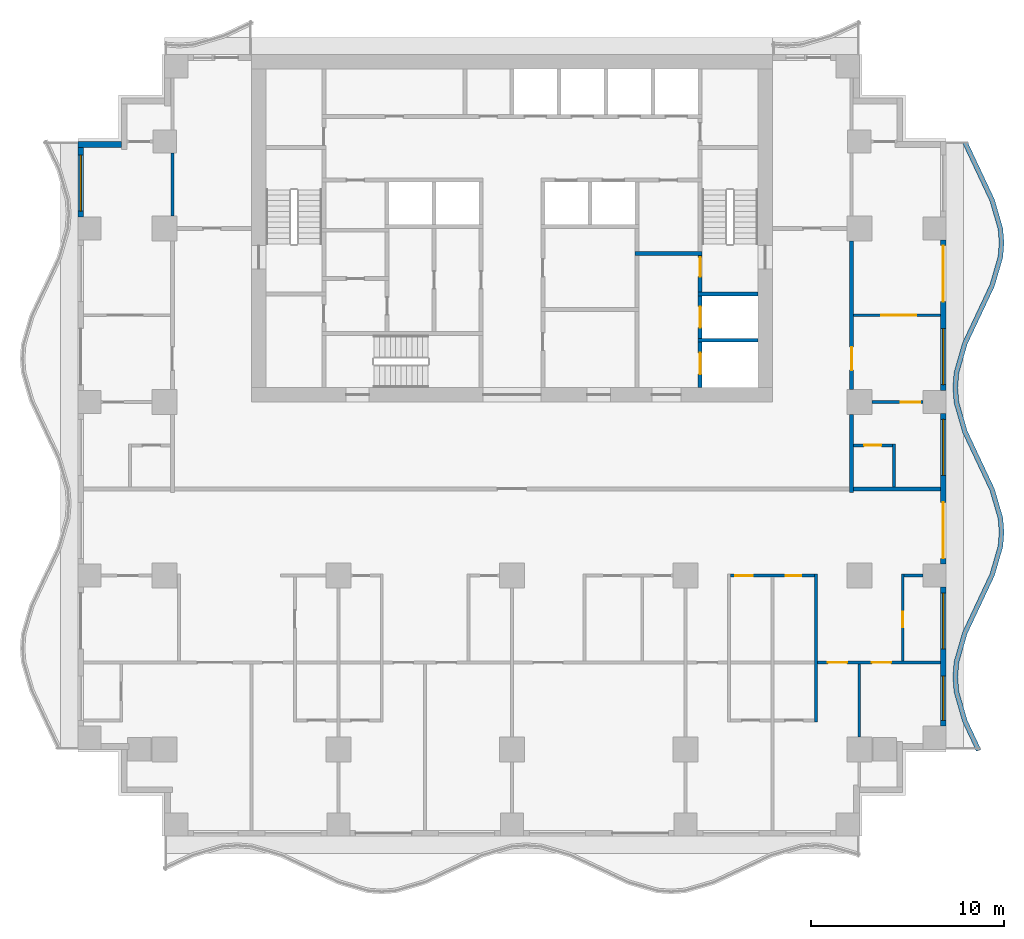
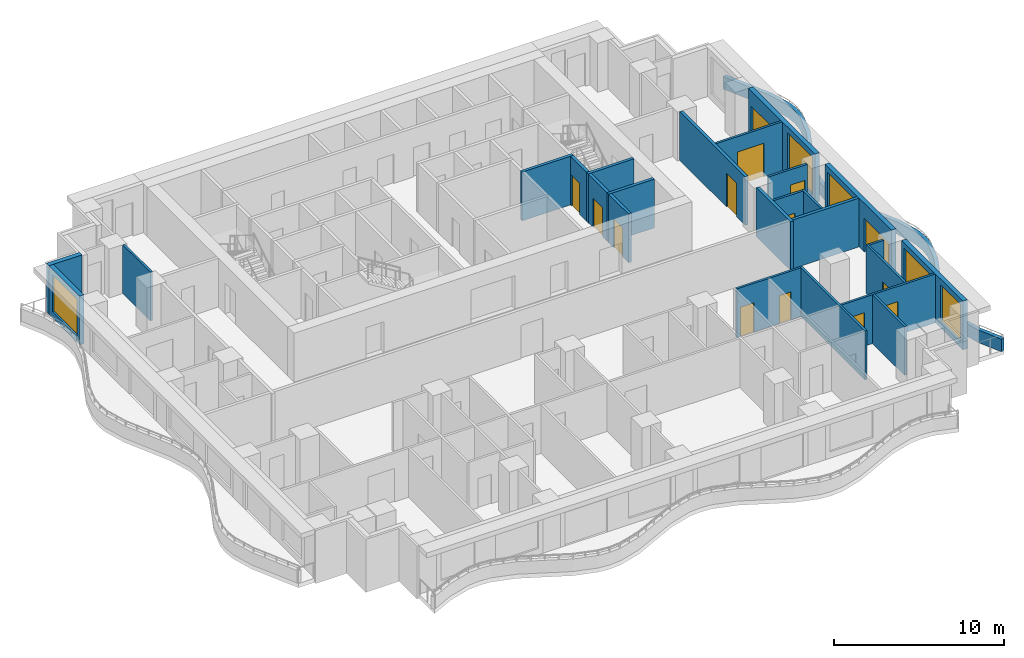
# One storey, part 4 of 10: 26 walls, 14 doors, 5 windows, 19 openings.
"""IFC4 building model written with IfcOpenShell, lengths in metres."""

from ifc_helpers import new_model, si_unit, direction, frame, frame_2d, origin, place, context, subcontext, project, spatial, polyline, rectangle, outline, extrude, material, layer, layer_set, type_object, element, fill, save


model = new_model("IFC4")

# Units and contexts
model_context = context("Model", 3, precision=1e-05, world=origin(), true_north=direction((0.0, 1.0)))
body_context = subcontext(model_context, "Body", "Model", "MODEL_VIEW")
ifc_project = project(units=[si_unit("LENGTHUNIT", "METRE"), si_unit("AREAUNIT", "SQUARE_METRE"), si_unit("VOLUMEUNIT", "CUBIC_METRE"), si_unit("PLANEANGLEUNIT", "RADIAN"), si_unit("MASSUNIT", "GRAM", prefix="KILO")], contexts=[model_context])

# Site, building, storey
site_placement = place(None, origin())
site = spatial("IfcSite", under=ifc_project, at=site_placement, CompositionType="ELEMENT")
building_placement = place(site_placement, origin())
building = spatial("IfcBuilding", under=site, at=building_placement, Name="Orbiselva Terraces", CompositionType="ELEMENT")
storey_placement = place(building_placement, frame((0.0, 0.0, 128.8)))
storey = spatial("IfcBuildingStorey", under=building, at=storey_placement, Name="L32", CompositionType="ELEMENT", Elevation=128.8)

# Wall
ifc_material_1 = material(Name="Concrete C60/75", Category="concrete")
ifc_layer_1 = layer(ifc_material_1, 0.2)
ifc_layer_set_1 = layer_set([ifc_layer_1], Name="Concrete C60/75")
wall_type_1 = type_object("IfcWallType", Name="CORE-WALL-SHEAR-200", PredefinedType="SHEAR", material=ifc_layer_set_1)
wall_1_placement = place(storey_placement, frame((6.375, 12.2, 0.0), z_axis=(0.0, 0.0, 1.0), x_axis=(1.0, 0.0, 0.0)))
element("IfcWall", 1, at=wall_1_placement, inside=storey, type_object=wall_type_1, Name="L32 core wall 38", PredefinedType="SHEAR", context=body_context, shape_type="SweptSolid", body=[
    extrude(rectangle(XDim=3.475, YDim=0.2, at=frame_2d((1.7375, 0.0))), origin(), (0.0, 0.0, 1.0), 3.5),
])

# Wall, opening, door
wall_2_placement = place(storey_placement, frame((9.75, 5.25, 0.0), z_axis=(0.0, 0.0, 1.0), x_axis=(0.0, 1.0, 0.0)))
wall_2 = element("IfcWall", 2, at=wall_2_placement, inside=storey, type_object=wall_type_1, Name="L32 core wall 42", PredefinedType="SHEAR", context=body_context, shape_type="SweptSolid", body=[
    extrude(rectangle(XDim=2.35, YDim=0.2, at=frame_2d((1.175, 0.0))), origin(), (0.0, 0.0, 1.0), 3.5),
])
opening_1_placement = place(wall_2_placement, frame((0.7, 0.0, 0.0)))
opening_1 = element("IfcOpeningElement", 3, at=opening_1_placement, cuts=wall_2, Name="Opening LD-FF1", PredefinedType="OPENING", context=body_context, shape_type="SweptSolid", body=[
    extrude(rectangle(XDim=1.1, YDim=2.1, at=frame_2d((0.55, 1.05))), frame((0.0, 0.11, 0.0), z_axis=(0.0, -1.0, 0.0), x_axis=(1.0, 0.0, 0.0)), (0.0, 0.0, 1.0), 0.22),
])
ifc_material_2 = material(Name="Stainless steel landing door", Category="steel")
door_type_1 = type_object("IfcDoorType", Name="LANDING DOOR 1100", OperationType="SLIDING_TO_LEFT", PredefinedType="DOOR", material=ifc_material_2)
door_1_placement = place(opening_1_placement, origin())
door_1 = element("IfcDoor", 4, at=door_1_placement, inside=storey, type_object=door_type_1, Name="L32 landing door FF1", OperationType="SLIDING_TO_RIGHT", OverallHeight=2.1, OverallWidth=1.1, PredefinedType="DOOR", context=body_context, shape_type="SweptSolid", body=[
    extrude(rectangle(XDim=1.1, YDim=2.1, at=frame_2d((0.55, 1.05))), frame((0.0, 0.025, 0.0), z_axis=(0.0, -1.0, 0.0), x_axis=(1.0, 0.0, 0.0)), (0.0, 0.0, 1.0), 0.05),
])
fill(opening_1, door_1)

# Wall
wall_3_placement = place(storey_placement, frame((9.65, 7.7, 0.0), z_axis=(0.0, 0.0, 1.0), x_axis=(1.0, 0.0, 0.0)))
element("IfcWall", 5, at=wall_3_placement, inside=storey, type_object=wall_type_1, Name="L32 core wall 43", PredefinedType="SHEAR", context=body_context, shape_type="SweptSolid", body=[
    extrude(rectangle(XDim=3.1, YDim=0.2, at=frame_2d((1.55, 0.0))), origin(), (0.0, 0.0, 1.0), 3.5),
])

# Wall, opening, door
wall_4_placement = place(storey_placement, frame((9.75, 7.8, 0.0), z_axis=(0.0, 0.0, 1.0), x_axis=(0.0, 1.0, 0.0)))
wall_4 = element("IfcWall", 6, at=wall_4_placement, inside=storey, type_object=wall_type_1, Name="L32 core wall 44", PredefinedType="SHEAR", context=body_context, shape_type="SweptSolid", body=[
    extrude(rectangle(XDim=2.2, YDim=0.2, at=frame_2d((1.1, 0.0))), origin(), (0.0, 0.0, 1.0), 3.5),
])
opening_2_placement = place(wall_4_placement, frame((0.55, 0.0, 0.0)))
opening_2 = element("IfcOpeningElement", 7, at=opening_2_placement, cuts=wall_4, Name="Opening LD-FF2", PredefinedType="OPENING", context=body_context, shape_type="SweptSolid", body=[
    extrude(rectangle(XDim=1.1, YDim=2.1, at=frame_2d((0.55, 1.05))), frame((0.0, 0.11, 0.0), z_axis=(0.0, -1.0, 0.0), x_axis=(1.0, 0.0, 0.0)), (0.0, 0.0, 1.0), 0.22),
])
door_2_placement = place(opening_2_placement, origin())
door_2 = element("IfcDoor", 8, at=door_2_placement, inside=storey, type_object=door_type_1, Name="L32 landing door FF2", OperationType="SLIDING_TO_RIGHT", OverallHeight=2.1, OverallWidth=1.1, PredefinedType="DOOR", context=body_context, shape_type="SweptSolid", body=[
    extrude(rectangle(XDim=1.1, YDim=2.1, at=frame_2d((0.55, 1.05))), frame((0.0, 0.025, 0.0), z_axis=(0.0, -1.0, 0.0), x_axis=(1.0, 0.0, 0.0)), (0.0, 0.0, 1.0), 0.05),
])
fill(opening_2, door_2)

# Wall
wall_5_placement = place(storey_placement, frame((9.65, 10.1, 0.0), z_axis=(0.0, 0.0, 1.0), x_axis=(1.0, 0.0, 0.0)))
element("IfcWall", 9, at=wall_5_placement, inside=storey, type_object=wall_type_1, Name="L32 core wall 45", PredefinedType="SHEAR", context=body_context, shape_type="SweptSolid", body=[
    extrude(rectangle(XDim=3.1, YDim=0.2, at=frame_2d((1.55, 0.0))), origin(), (0.0, 0.0, 1.0), 3.5),
])

# Wall, opening, door
wall_6_placement = place(storey_placement, frame((9.75, 12.1, 0.0), z_axis=(0.0, 0.0, 1.0), x_axis=(0.0, -1.0, 0.0)))
wall_6 = element("IfcWall", 10, at=wall_6_placement, inside=storey, type_object=wall_type_1, Name="L32 core wall 46", PredefinedType="SHEAR", context=body_context, shape_type="SweptSolid", body=[
    extrude(rectangle(XDim=1.9, YDim=0.2, at=frame_2d((0.95, 0.0))), origin(), (0.0, 0.0, 1.0), 3.5),
])
opening_3_placement = place(wall_6_placement, frame((0.1, 0.0, 0.0)))
opening_3 = element("IfcOpeningElement", 11, at=opening_3_placement, cuts=wall_6, Name="Opening DS1000", PredefinedType="OPENING", context=body_context, shape_type="SweptSolid", body=[
    extrude(rectangle(XDim=1.0, YDim=2.2, at=frame_2d((0.5, 1.1))), frame((0.0, 0.11, 0.0), z_axis=(0.0, -1.0, 0.0), x_axis=(1.0, 0.0, 0.0)), (0.0, 0.0, 1.0), 0.22),
])
ifc_material_3 = material(Name="Steel fire door", Category="steel")
door_type_2 = type_object("IfcDoorType", Name="STAIR DOOR 1000", OperationType="NOTDEFINED", PredefinedType="DOOR", material=ifc_material_3)
door_3_placement = place(opening_3_placement, origin())
door_3 = element("IfcDoor", 12, at=door_3_placement, inside=storey, type_object=door_type_2, Name="L32 FIRE-FIGHTING LOBBY TO EXIT STAIR S2 door", OperationType="SINGLE_SWING_LEFT", OverallHeight=2.2, OverallWidth=1.0, PredefinedType="DOOR", context=body_context, shape_type="SweptSolid", body=[
    extrude(rectangle(XDim=1.0, YDim=2.2, at=frame_2d((0.5, 1.1))), frame((0.0, 0.025, 0.0), z_axis=(0.0, -1.0, 0.0), x_axis=(1.0, 0.0, 0.0)), (0.0, 0.0, 1.0), 0.05),
])
fill(opening_3, door_3)

# Wall
ifc_material_4 = material(Name="Concrete C40/50", Category="concrete")
ifc_layer_2 = layer(ifc_material_4, 0.25)
ifc_layer_set_2 = layer_set([ifc_layer_2], Name="Concrete C40/50")
wall_type_2 = type_object("IfcWallType", Name="ENV-PLANTER-250x900", PredefinedType="USERDEFINED", material=ifc_layer_set_2)
wall_7_placement = place(storey_placement, origin())
element("IfcWall", 13, at=wall_7_placement, inside=storey, type_object=wall_type_2, Name="Balcony planter L32 E", ObjectType="PLANTER", PredefinedType="USERDEFINED", context=body_context, shape_type="SweptSolid", body=[
    extrude(outline(polyline([(24.3, -13.5), (23.594658, -12.0), (23.158732, -10.5), (23.1, -9.75), (23.158732, -9.0), (23.594658, -7.5), (24.3, -6.0), (25.005342, -4.5), (25.441268, -3.0), (25.5, -2.25), (25.441268, -1.5), (25.005342, 0.0), (24.3, 1.5), (23.594658, 3.0), (23.158732, 4.5), (23.1, 5.25), (23.158732, 6.0), (23.594658, 7.5), (24.3, 9.0), (25.005342, 10.5), (25.441268, 12.0), (25.5, 12.75), (25.441268, 13.5), (25.005342, 15.0), (24.3, 16.5), (23.594658, 18.0), (23.368422, 17.893617), (24.073764, 16.393617), (24.770753, 14.911382), (25.194035, 13.454886), (25.249235, 12.75), (25.194035, 12.045114), (24.770753, 10.588618), (24.073764, 9.106383), (23.360069, 7.588618), (22.911499, 6.045114), (22.849235, 5.25), (22.911499, 4.454886), (23.360069, 2.911382), (24.073764, 1.393617), (24.770753, -0.088618), (25.194035, -1.545114), (25.249235, -2.25), (25.194035, -2.954886), (24.770753, -4.411382), (24.073764, -5.893617), (23.360069, -7.411382), (22.911499, -8.954886), (22.849235, -9.75), (22.911499, -10.545114), (23.360069, -12.088618), (24.073764, -13.606383), (24.3, -13.5)])), origin(), (0.0, 0.0, 1.0), 0.9),
])

# Wall, openings, windows
ifc_material_5 = material(Name="Terracotta cladding on masonry backing", Category="masonry")
ifc_layer_3 = layer(ifc_material_5, 0.3)
ifc_layer_set_3 = layer_set([ifc_layer_3], Name="Terracotta cladding on masonry backing")
wall_type_3 = type_object("IfcWallType", Name="ENV-WALL-TERRACOTTA-300", PredefinedType="SOLIDWALL", material=ifc_layer_set_3)
wall_8_placement = place(storey_placement, frame((22.35, -5.1, 0.0), z_axis=(0.0, 0.0, 1.0), x_axis=(0.0, -1.0, 0.0)))
wall_8 = element("IfcWall", 14, at=wall_8_placement, inside=storey, type_object=wall_type_3, Name="Facade wall L32 E", PredefinedType="SOLIDWALL", context=body_context, shape_type="SweptSolid", body=[
    extrude(rectangle(XDim=7.2, YDim=0.3, at=frame_2d((3.6, 0.0))), origin(), (0.0, 0.0, 1.0), 3.5),
])
opening_4_placement = place(wall_8_placement, frame((4.6, 0.0, 0.45)))
opening_4 = element("IfcOpeningElement", 15, at=opening_4_placement, cuts=wall_8, Name="Opening WN7", PredefinedType="OPENING", context=body_context, shape_type="SweptSolid", body=[
    extrude(rectangle(XDim=2.3, YDim=2.65, at=frame_2d((1.15, 1.325))), frame((0.0, 0.16, 0.0), z_axis=(0.0, -1.0, 0.0), x_axis=(1.0, 0.0, 0.0)), (0.0, 0.0, 1.0), 0.32),
])
opening_5_placement = place(wall_8_placement, frame((0.3, 0.0, 0.45)))
opening_5 = element("IfcOpeningElement", 16, at=opening_5_placement, cuts=wall_8, Name="Opening WN8", PredefinedType="OPENING", context=body_context, shape_type="SweptSolid", body=[
    extrude(rectangle(XDim=2.9, YDim=2.65, at=frame_2d((1.45, 1.325))), frame((0.0, 0.16, 0.0), z_axis=(0.0, -1.0, 0.0), x_axis=(1.0, 0.0, 0.0)), (0.0, 0.0, 1.0), 0.32),
])
ifc_material_6 = material(Name="Clear low-e glazing in aluminium frame", Category="aluminium")
window_type_1 = type_object("IfcWindowType", Name="WINDOW 2300 X 2650 S450", PartitioningType="TRIPLE_PANEL_VERTICAL", PredefinedType="WINDOW", material=ifc_material_6)
window_1_placement = place(opening_4_placement, origin())
window_1 = element("IfcWindow", 17, at=window_1_placement, inside=storey, type_object=window_type_1, Name="Window L32 E", OverallHeight=2.65, OverallWidth=2.3, PartitioningType="SINGLE_PANEL", PredefinedType="WINDOW", context=body_context, shape_type="SweptSolid", body=[
    extrude(rectangle(XDim=2.3, YDim=2.65, at=frame_2d((1.15, 1.325))), frame((0.0, 0.03, 0.0), z_axis=(0.0, -1.0, 0.0), x_axis=(1.0, 0.0, 0.0)), (0.0, 0.0, 1.0), 0.06),
])
fill(opening_4, window_1)
window_type_2 = type_object("IfcWindowType", Name="WINDOW 2900 X 2650 S450", PartitioningType="TRIPLE_PANEL_VERTICAL", PredefinedType="WINDOW", material=ifc_material_6)
window_2_placement = place(opening_5_placement, origin())
window_2 = element("IfcWindow", 18, at=window_2_placement, inside=storey, type_object=window_type_2, Name="Window L32 E", OverallHeight=2.65, OverallWidth=2.9, PartitioningType="SINGLE_PANEL", PredefinedType="WINDOW", context=body_context, shape_type="SweptSolid", body=[
    extrude(rectangle(XDim=2.9, YDim=2.65, at=frame_2d((1.45, 1.325))), frame((0.0, 0.03, 0.0), z_axis=(0.0, -1.0, 0.0), x_axis=(1.0, 0.0, 0.0)), (0.0, 0.0, 1.0), 0.06),
])
fill(opening_5, window_2)

# Wall, openings, door, window
wall_9_placement = place(storey_placement, frame((22.35, 3.9, 0.0), z_axis=(0.0, 0.0, 1.0), x_axis=(0.0, -1.0, 0.0)))
wall_9 = element("IfcWall", 19, at=wall_9_placement, inside=storey, type_object=wall_type_3, Name="Facade wall L32 E", PredefinedType="SOLIDWALL", context=body_context, shape_type="SweptSolid", body=[
    extrude(rectangle(XDim=7.8, YDim=0.3, at=frame_2d((3.9, 0.0))), origin(), (0.0, 0.0, 1.0), 3.5),
])
opening_6_placement = place(wall_9_placement, frame((4.6, 0.0, 0.0)))
opening_6 = element("IfcOpeningElement", 20, at=opening_6_placement, cuts=wall_9, Name="Opening Z3-A-E04", PredefinedType="OPENING", context=body_context, shape_type="SweptSolid", body=[
    extrude(rectangle(XDim=2.9, YDim=2.4, at=frame_2d((1.45, 1.2))), frame((0.0, 0.16, 0.0), z_axis=(0.0, -1.0, 0.0), x_axis=(1.0, 0.0, 0.0)), (0.0, 0.0, 1.0), 0.32),
])
opening_7_placement = place(wall_9_placement, frame((0.3, 0.0, 0.45)))
opening_7 = element("IfcOpeningElement", 21, at=opening_7_placement, cuts=wall_9, Name="Opening WN8", PredefinedType="OPENING", context=body_context, shape_type="SweptSolid", body=[
    extrude(rectangle(XDim=2.9, YDim=2.65, at=frame_2d((1.45, 1.325))), frame((0.0, 0.16, 0.0), z_axis=(0.0, -1.0, 0.0), x_axis=(1.0, 0.0, 0.0)), (0.0, 0.0, 1.0), 0.32),
])
door_type_3 = type_object("IfcDoorType", Name="BALCONY DOOR 2900 X 2400", OperationType="DOUBLE_DOOR_SLIDING", PredefinedType="DOOR", material=ifc_material_6)
door_4_placement = place(opening_6_placement, origin())
door_4 = element("IfcDoor", 22, at=door_4_placement, inside=storey, type_object=door_type_3, Name="Z3-A-E04", OperationType="SINGLE_SWING_LEFT", OverallHeight=2.4, OverallWidth=2.9, PredefinedType="DOOR", context=body_context, shape_type="SweptSolid", body=[
    extrude(rectangle(XDim=2.9, YDim=2.4, at=frame_2d((1.45, 1.2))), frame((0.0, 0.025, 0.0), z_axis=(0.0, -1.0, 0.0), x_axis=(1.0, 0.0, 0.0)), (0.0, 0.0, 1.0), 0.05),
])
fill(opening_6, door_4)
window_3_placement = place(opening_7_placement, origin())
window_3 = element("IfcWindow", 23, at=window_3_placement, inside=storey, type_object=window_type_2, Name="Window L32 E", OverallHeight=2.65, OverallWidth=2.9, PartitioningType="SINGLE_PANEL", PredefinedType="WINDOW", context=body_context, shape_type="SweptSolid", body=[
    extrude(rectangle(XDim=2.9, YDim=2.65, at=frame_2d((1.45, 1.325))), frame((0.0, 0.03, 0.0), z_axis=(0.0, -1.0, 0.0), x_axis=(1.0, 0.0, 0.0)), (0.0, 0.0, 1.0), 0.06),
])
fill(opening_7, window_3)

wall_10_placement = place(storey_placement, frame((22.35, 12.9, 0.0), z_axis=(0.0, 0.0, 1.0), x_axis=(0.0, -1.0, 0.0)))
wall_10 = element("IfcWall", 24, at=wall_10_placement, inside=storey, type_object=wall_type_3, Name="Facade wall L32 E", PredefinedType="SOLIDWALL", context=body_context, shape_type="SweptSolid", body=[
    extrude(rectangle(XDim=7.8, YDim=0.3, at=frame_2d((3.9, 0.0))), origin(), (0.0, 0.0, 1.0), 3.5),
])
opening_8_placement = place(wall_10_placement, frame((4.6, 0.0, 0.45)))
opening_8 = element("IfcOpeningElement", 25, at=opening_8_placement, cuts=wall_10, Name="Opening WN8", PredefinedType="OPENING", context=body_context, shape_type="SweptSolid", body=[
    extrude(rectangle(XDim=2.9, YDim=2.65, at=frame_2d((1.45, 1.325))), frame((0.0, 0.16, 0.0), z_axis=(0.0, -1.0, 0.0), x_axis=(1.0, 0.0, 0.0)), (0.0, 0.0, 1.0), 0.32),
])
opening_9_placement = place(wall_10_placement, frame((0.3, 0.0, 0.0)))
opening_9 = element("IfcOpeningElement", 26, at=opening_9_placement, cuts=wall_10, Name="Opening Z3-A-E13", PredefinedType="OPENING", context=body_context, shape_type="SweptSolid", body=[
    extrude(rectangle(XDim=2.9, YDim=2.4, at=frame_2d((1.45, 1.2))), frame((0.0, 0.16, 0.0), z_axis=(0.0, -1.0, 0.0), x_axis=(1.0, 0.0, 0.0)), (0.0, 0.0, 1.0), 0.32),
])
door_5_placement = place(opening_9_placement, origin())
door_5 = element("IfcDoor", 27, at=door_5_placement, inside=storey, type_object=door_type_3, Name="Z3-A-E13", OperationType="SINGLE_SWING_LEFT", OverallHeight=2.4, OverallWidth=2.9, PredefinedType="DOOR", context=body_context, shape_type="SweptSolid", body=[
    extrude(rectangle(XDim=2.9, YDim=2.4, at=frame_2d((1.45, 1.2))), frame((0.0, 0.025, 0.0), z_axis=(0.0, -1.0, 0.0), x_axis=(1.0, 0.0, 0.0)), (0.0, 0.0, 1.0), 0.05),
])
fill(opening_9, door_5)
window_4_placement = place(opening_8_placement, origin())
window_4 = element("IfcWindow", 28, at=window_4_placement, inside=storey, type_object=window_type_2, Name="Window L32 E", OverallHeight=2.65, OverallWidth=2.9, PartitioningType="SINGLE_PANEL", PredefinedType="WINDOW", context=body_context, shape_type="SweptSolid", body=[
    extrude(rectangle(XDim=2.9, YDim=2.65, at=frame_2d((1.45, 1.325))), frame((0.0, 0.03, 0.0), z_axis=(0.0, -1.0, 0.0), x_axis=(1.0, 0.0, 0.0)), (0.0, 0.0, 1.0), 0.06),
])
fill(opening_8, window_4)

# Wall
wall_11_placement = place(storey_placement, frame((-22.5, 17.85, 0.0), z_axis=(0.0, 0.0, 1.0), x_axis=(1.0, 0.0, 0.0)))
element("IfcWall", 29, at=wall_11_placement, inside=storey, type_object=wall_type_3, Name="Facade wall L32 STEP", PredefinedType="SOLIDWALL", context=body_context, shape_type="SweptSolid", body=[
    extrude(rectangle(XDim=2.25, YDim=0.3, at=frame_2d((1.125, 0.0))), origin(), (0.0, 0.0, 1.0), 3.5),
])

# Wall, opening, window
wall_12_placement = place(storey_placement, frame((-22.35, 14.1, 0.0), z_axis=(0.0, 0.0, 1.0), x_axis=(0.0, 1.0, 0.0)))
wall_12 = element("IfcWall", 30, at=wall_12_placement, inside=storey, type_object=wall_type_3, Name="Facade wall L32 W", PredefinedType="SOLIDWALL", context=body_context, shape_type="SweptSolid", body=[
    extrude(rectangle(XDim=3.6, YDim=0.3, at=frame_2d((1.8, 0.0))), origin(), (0.0, 0.0, 1.0), 3.5),
])
opening_10_placement = place(wall_12_placement, frame((0.3, 0.0, 0.45)))
opening_10 = element("IfcOpeningElement", 31, at=opening_10_placement, cuts=wall_12, Name="Opening WN8", PredefinedType="OPENING", context=body_context, shape_type="SweptSolid", body=[
    extrude(rectangle(XDim=2.9, YDim=2.65, at=frame_2d((1.45, 1.325))), frame((0.0, 0.16, 0.0), z_axis=(0.0, -1.0, 0.0), x_axis=(1.0, 0.0, 0.0)), (0.0, 0.0, 1.0), 0.32),
])
window_5_placement = place(opening_10_placement, origin())
window_5 = element("IfcWindow", 32, at=window_5_placement, inside=storey, type_object=window_type_2, Name="Window L32 W", OverallHeight=2.65, OverallWidth=2.9, PartitioningType="SINGLE_PANEL", PredefinedType="WINDOW", context=body_context, shape_type="SweptSolid", body=[
    extrude(rectangle(XDim=2.9, YDim=2.65, at=frame_2d((1.45, 1.325))), frame((0.0, 0.03, 0.0), z_axis=(0.0, -1.0, 0.0), x_axis=(1.0, 0.0, 0.0)), (0.0, 0.0, 1.0), 0.06),
])
fill(opening_10, window_5)

# Wall
ifc_material_7 = material(Name="Plasterboard on steel stud partition", Category="steel")
ifc_layer_4 = layer(ifc_material_7, 0.2)
ifc_layer_set_4 = layer_set([ifc_layer_4], Name="Plasterboard on steel stud partition")
wall_type_4 = type_object("IfcWallType", Name="UNIT-ENTRANCE-WALL-200", PredefinedType="PARTITIONING", material=ifc_layer_set_4)
wall_13_placement = place(storey_placement, frame((17.6, -0.2, 0.0), z_axis=(0.0, 0.0, 1.0), x_axis=(0.0, 1.0, 0.0)))
element("IfcWall", 33, at=wall_13_placement, inside=storey, type_object=wall_type_4, Name="PARTITION L32-058", PredefinedType="PARTITIONING", context=body_context, shape_type="SweptSolid", body=[
    extrude(rectangle(XDim=4.05, YDim=0.2, at=frame_2d((2.025, 0.0))), origin(), (0.0, 0.0, 1.0), 3.5),
])

# Wall, opening, door
wall_14_placement = place(storey_placement, frame((17.6, 12.85, 0.0), z_axis=(0.0, 0.0, 1.0), x_axis=(0.0, -1.0, 0.0)))
wall_14 = element("IfcWall", 34, at=wall_14_placement, inside=storey, type_object=wall_type_4, Name="PARTITION L32-059", PredefinedType="PARTITIONING", context=body_context, shape_type="SweptSolid", body=[
    extrude(rectangle(XDim=7.7, YDim=0.2, at=frame_2d((3.85, 0.0))), origin(), (0.0, 0.0, 1.0), 3.5),
])
opening_11_placement = place(wall_14_placement, frame((5.5, 0.0, 0.0)))
opening_11 = element("IfcOpeningElement", 35, at=opening_11_placement, cuts=wall_14, Name="Opening Z3-A-10", PredefinedType="OPENING", context=body_context, shape_type="SweptSolid", body=[
    extrude(rectangle(XDim=1.2, YDim=2.4, at=frame_2d((0.6, 1.2))), frame((0.0, 0.11, 0.0), z_axis=(0.0, -1.0, 0.0), x_axis=(1.0, 0.0, 0.0)), (0.0, 0.0, 1.0), 0.22),
])
ifc_material_8 = material(Name="Painted timber door leaf", Category="wood")
door_type_4 = type_object("IfcDoorType", Name="ENTRANCE DOOR 1200", OperationType="NOTDEFINED", PredefinedType="DOOR", material=ifc_material_8)
door_6_placement = place(opening_11_placement, origin())
door_6 = element("IfcDoor", 36, at=door_6_placement, inside=storey, type_object=door_type_4, Name="Z3-A-10", OperationType="SINGLE_SWING_RIGHT", OverallHeight=2.4, OverallWidth=1.2, PredefinedType="DOOR", context=body_context, shape_type="SweptSolid", body=[
    extrude(rectangle(XDim=1.2, YDim=2.4, at=frame_2d((0.6, 1.2))), frame((0.0, 0.025, 0.0), z_axis=(0.0, -1.0, 0.0), x_axis=(1.0, 0.0, 0.0)), (0.0, 0.0, 1.0), 0.05),
])
fill(opening_11, door_6)

# Wall, openings, doors
ifc_layer_5 = layer(ifc_material_7, 0.15)
ifc_layer_set_5 = layer_set([ifc_layer_5], Name="Plasterboard on steel stud partition")
wall_type_5 = type_object("IfcWallType", Name="UNIT-PARTITION-150", PredefinedType="PARTITIONING", material=ifc_layer_set_5)
wall_15_placement = place(storey_placement, frame((22.2, -9.0, 0.0), z_axis=(0.0, 0.0, 1.0), x_axis=(-1.0, 0.0, 0.0)))
wall_15 = element("IfcWall", 37, at=wall_15_placement, inside=storey, type_object=wall_type_5, Name="PARTITION L32-014", PredefinedType="PARTITIONING", context=body_context, shape_type="SweptSolid", body=[
    extrude(rectangle(XDim=6.375, YDim=0.15, at=frame_2d((3.1875, 0.0))), origin(), (0.0, 0.0, 1.0), 3.5),
])
opening_12_placement = place(wall_15_placement, frame((4.825, 0.0, 0.0)))
opening_12 = element("IfcOpeningElement", 38, at=opening_12_placement, cuts=wall_15, Name="Opening Z3-A-33", PredefinedType="OPENING", context=body_context, shape_type="SweptSolid", body=[
    extrude(rectangle(XDim=1.0, YDim=2.4, at=frame_2d((0.5, 1.2))), frame((0.0, 0.085, 0.0), z_axis=(0.0, -1.0, 0.0), x_axis=(1.0, 0.0, 0.0)), (0.0, 0.0, 1.0), 0.17),
])
opening_13_placement = place(wall_15_placement, frame((2.55, 0.0, 0.0)))
opening_13 = element("IfcOpeningElement", 39, at=opening_13_placement, cuts=wall_15, Name="Opening Z3-A-35", PredefinedType="OPENING", context=body_context, shape_type="SweptSolid", body=[
    extrude(rectangle(XDim=1.0, YDim=2.4, at=frame_2d((0.5, 1.2))), frame((0.0, 0.085, 0.0), z_axis=(0.0, -1.0, 0.0), x_axis=(1.0, 0.0, 0.0)), (0.0, 0.0, 1.0), 0.17),
])
door_type_5 = type_object("IfcDoorType", Name="ROOM DOOR 1000", OperationType="NOTDEFINED", PredefinedType="DOOR", material=ifc_material_8)
door_7_placement = place(opening_12_placement, origin())
door_7 = element("IfcDoor", 40, at=door_7_placement, inside=storey, type_object=door_type_5, Name="Z3-A-33", OperationType="SINGLE_SWING_RIGHT", OverallHeight=2.4, OverallWidth=1.0, PredefinedType="DOOR", context=body_context, shape_type="SweptSolid", body=[
    extrude(rectangle(XDim=1.0, YDim=2.4, at=frame_2d((0.5, 1.2))), frame((0.0, 0.025, 0.0), z_axis=(0.0, -1.0, 0.0), x_axis=(1.0, 0.0, 0.0)), (0.0, 0.0, 1.0), 0.05),
])
fill(opening_12, door_7)
door_8_placement = place(opening_13_placement, origin())
door_8 = element("IfcDoor", 41, at=door_8_placement, inside=storey, type_object=door_type_5, Name="Z3-A-35", OperationType="SINGLE_SWING_LEFT", OverallHeight=2.4, OverallWidth=1.0, PredefinedType="DOOR", context=body_context, shape_type="SweptSolid", body=[
    extrude(rectangle(XDim=1.0, YDim=2.4, at=frame_2d((0.5, 1.2))), frame((0.0, 0.025, 0.0), z_axis=(0.0, -1.0, 0.0), x_axis=(1.0, 0.0, 0.0)), (0.0, 0.0, 1.0), 0.05),
])
fill(opening_13, door_8)

wall_16_placement = place(storey_placement, frame((15.675, -4.5, 0.0), z_axis=(0.0, 0.0, 1.0), x_axis=(-1.0, 0.0, 0.0)))
wall_16 = element("IfcWall", 42, at=wall_16_placement, inside=storey, type_object=wall_type_5, Name="PARTITION L32-020", PredefinedType="PARTITIONING", context=body_context, shape_type="SweptSolid", body=[
    extrude(rectangle(XDim=4.35, YDim=0.15, at=frame_2d((2.175, 0.0))), origin(), (0.0, 0.0, 1.0), 3.5),
])
opening_14_placement = place(wall_16_placement, frame((3.2, 0.0, 0.0)))
opening_14 = element("IfcOpeningElement", 43, at=opening_14_placement, cuts=wall_16, Name="Opening Z3-A-20", PredefinedType="OPENING", context=body_context, shape_type="SweptSolid", body=[
    extrude(rectangle(XDim=0.9, YDim=2.1, at=frame_2d((0.45, 1.05))), frame((0.0, 0.085, 0.0), z_axis=(0.0, -1.0, 0.0), x_axis=(1.0, 0.0, 0.0)), (0.0, 0.0, 1.0), 0.17),
])
opening_15_placement = place(wall_16_placement, frame((0.675, 0.0, 0.0)))
opening_15 = element("IfcOpeningElement", 44, at=opening_15_placement, cuts=wall_16, Name="Opening Z3-A-21", PredefinedType="OPENING", context=body_context, shape_type="SweptSolid", body=[
    extrude(rectangle(XDim=0.8, YDim=2.0, at=frame_2d((0.4, 1.0))), frame((0.0, 0.085, 0.0), z_axis=(0.0, -1.0, 0.0), x_axis=(1.0, 0.0, 0.0)), (0.0, 0.0, 1.0), 0.17),
])
door_type_6 = type_object("IfcDoorType", Name="SERVICE DOOR 900", OperationType="NOTDEFINED", PredefinedType="DOOR", material=ifc_material_8)
door_9_placement = place(opening_14_placement, origin())
door_9 = element("IfcDoor", 45, at=door_9_placement, inside=storey, type_object=door_type_6, Name="Z3-A-20", OperationType="SINGLE_SWING_RIGHT", OverallHeight=2.1, OverallWidth=0.9, PredefinedType="DOOR", context=body_context, shape_type="SweptSolid", body=[
    extrude(rectangle(XDim=0.9, YDim=2.1, at=frame_2d((0.45, 1.05))), frame((0.0, 0.025, 0.0), z_axis=(0.0, -1.0, 0.0), x_axis=(1.0, 0.0, 0.0)), (0.0, 0.0, 1.0), 0.05),
])
fill(opening_14, door_9)
door_type_7 = type_object("IfcDoorType", Name="STORE DOOR 800", OperationType="NOTDEFINED", PredefinedType="DOOR", material=ifc_material_8)
door_10_placement = place(opening_15_placement, origin())
door_10 = element("IfcDoor", 46, at=door_10_placement, inside=storey, type_object=door_type_7, Name="Z3-A-21", OperationType="SINGLE_SWING_LEFT", OverallHeight=2.0, OverallWidth=0.8, PredefinedType="DOOR", context=body_context, shape_type="SweptSolid", body=[
    extrude(rectangle(XDim=0.8, YDim=2.0, at=frame_2d((0.4, 1.0))), frame((0.0, 0.025, 0.0), z_axis=(0.0, -1.0, 0.0), x_axis=(1.0, 0.0, 0.0)), (0.0, 0.0, 1.0), 0.05),
])
fill(opening_15, door_10)

# Wall
wall_17_placement = place(storey_placement, frame((20.325, -4.5, 0.0), z_axis=(0.0, 0.0, 1.0), x_axis=(1.0, 0.0, 0.0)))
element("IfcWall", 47, at=wall_17_placement, inside=storey, type_object=wall_type_5, Name="PARTITION L32-021", PredefinedType="PARTITIONING", context=body_context, shape_type="SweptSolid", body=[
    extrude(rectangle(XDim=0.975, YDim=0.15, at=frame_2d((0.4875, 0.0))), origin(), (0.0, 0.0, 1.0), 3.5),
])

# Wall, opening, door
wall_18_placement = place(storey_placement, frame((19.73, 2.25, 0.0), z_axis=(0.0, 0.0, 1.0), x_axis=(-1.0, 0.0, 0.0)))
wall_18 = element("IfcWall", 48, at=wall_18_placement, inside=storey, type_object=wall_type_5, Name="PARTITION L32-026", PredefinedType="PARTITIONING", context=body_context, shape_type="SweptSolid", body=[
    extrude(rectangle(XDim=2.03, YDim=0.15, at=frame_2d((1.015, 0.0))), origin(), (0.0, 0.0, 1.0), 3.5),
])
opening_16_placement = place(wall_18_placement, frame((0.58, 0.0, 0.0)))
opening_16 = element("IfcOpeningElement", 49, at=opening_16_placement, cuts=wall_18, Name="Opening Z3-A-09", PredefinedType="OPENING", context=body_context, shape_type="SweptSolid", body=[
    extrude(rectangle(XDim=0.9, YDim=2.1, at=frame_2d((0.45, 1.05))), frame((0.0, 0.085, 0.0), z_axis=(0.0, -1.0, 0.0), x_axis=(1.0, 0.0, 0.0)), (0.0, 0.0, 1.0), 0.17),
])
door_type_8 = type_object("IfcDoorType", Name="BATH DOOR 900", OperationType="NOTDEFINED", PredefinedType="DOOR", material=ifc_material_8)
door_11_placement = place(opening_16_placement, origin())
door_11 = element("IfcDoor", 50, at=door_11_placement, inside=storey, type_object=door_type_8, Name="Z3-A-09", OperationType="SINGLE_SWING_RIGHT", OverallHeight=2.1, OverallWidth=0.9, PredefinedType="DOOR", context=body_context, shape_type="SweptSolid", body=[
    extrude(rectangle(XDim=0.9, YDim=2.1, at=frame_2d((0.45, 1.05))), frame((0.0, 0.025, 0.0), z_axis=(0.0, -1.0, 0.0), x_axis=(1.0, 0.0, 0.0)), (0.0, 0.0, 1.0), 0.05),
])
fill(opening_16, door_11)

wall_19_placement = place(storey_placement, frame((21.3, 4.5, 0.0), z_axis=(0.0, 0.0, 1.0), x_axis=(-1.0, 0.0, 0.0)))
wall_19 = element("IfcWall", 51, at=wall_19_placement, inside=storey, type_object=wall_type_5, Name="PARTITION L32-028", PredefinedType="PARTITIONING", context=body_context, shape_type="SweptSolid", body=[
    extrude(rectangle(XDim=2.65, YDim=0.15, at=frame_2d((1.325, 0.0))), origin(), (0.0, 0.0, 1.0), 3.5),
])
opening_17_placement = place(wall_19_placement, frame((0.15, 0.0, 0.0)))
opening_17 = element("IfcOpeningElement", 52, at=opening_17_placement, cuts=wall_19, Name="Opening Z3-A-08", PredefinedType="OPENING", context=body_context, shape_type="SweptSolid", body=[
    extrude(rectangle(XDim=1.0, YDim=2.4, at=frame_2d((0.5, 1.2))), frame((0.0, 0.085, 0.0), z_axis=(0.0, -1.0, 0.0), x_axis=(1.0, 0.0, 0.0)), (0.0, 0.0, 1.0), 0.17),
])
door_12_placement = place(opening_17_placement, origin())
door_12 = element("IfcDoor", 53, at=door_12_placement, inside=storey, type_object=door_type_5, Name="Z3-A-08", OperationType="SINGLE_SWING_LEFT", OverallHeight=2.4, OverallWidth=1.0, PredefinedType="DOOR", context=body_context, shape_type="SweptSolid", body=[
    extrude(rectangle(XDim=1.0, YDim=2.4, at=frame_2d((0.5, 1.2))), frame((0.0, 0.025, 0.0), z_axis=(0.0, -1.0, 0.0), x_axis=(1.0, 0.0, 0.0)), (0.0, 0.0, 1.0), 0.05),
])
fill(opening_17, door_12)

wall_20_placement = place(storey_placement, frame((17.7, 9.0, 0.0), z_axis=(0.0, 0.0, 1.0), x_axis=(1.0, 0.0, 0.0)))
wall_20 = element("IfcWall", 54, at=wall_20_placement, inside=storey, type_object=wall_type_5, Name="PARTITION L32-030", PredefinedType="PARTITIONING", context=body_context, shape_type="SweptSolid", body=[
    extrude(rectangle(XDim=4.5, YDim=0.15, at=frame_2d((2.25, 0.0))), origin(), (0.0, 0.0, 1.0), 3.5),
])
opening_18_placement = place(wall_20_placement, frame((1.45, 0.0, 0.0)))
opening_18 = element("IfcOpeningElement", 55, at=opening_18_placement, cuts=wall_20, Name="Opening Z3-A-11", PredefinedType="OPENING", context=body_context, shape_type="SweptSolid", body=[
    extrude(rectangle(XDim=1.8, YDim=2.4, at=frame_2d((0.9, 1.2))), frame((0.0, 0.085, 0.0), z_axis=(0.0, -1.0, 0.0), x_axis=(1.0, 0.0, 0.0)), (0.0, 0.0, 1.0), 0.17),
])
door_type_9 = type_object("IfcDoorType", Name="DOUBLE DOOR 1800", OperationType="NOTDEFINED", PredefinedType="DOOR", material=ifc_material_8)
door_13_placement = place(opening_18_placement, origin())
door_13 = element("IfcDoor", 56, at=door_13_placement, inside=storey, type_object=door_type_9, Name="Z3-A-11", OperationType="DOUBLE_DOOR_SINGLE_SWING", OverallHeight=2.4, OverallWidth=1.8, PredefinedType="DOOR", context=body_context, shape_type="SweptSolid", body=[
    extrude(rectangle(XDim=1.8, YDim=2.4, at=frame_2d((0.9, 1.2))), frame((0.0, 0.025, 0.0), z_axis=(0.0, -1.0, 0.0), x_axis=(1.0, 0.0, 0.0)), (0.0, 0.0, 1.0), 0.05),
])
fill(opening_18, door_13)

# Walls
wall_21_placement = place(storey_placement, frame((-17.6, 14.15, 0.0), z_axis=(0.0, 0.0, 1.0), x_axis=(0.0, 1.0, 0.0)))
element("IfcWall", 57, at=wall_21_placement, inside=storey, type_object=wall_type_5, Name="PARTITION L32-039", PredefinedType="PARTITIONING", context=body_context, shape_type="SweptSolid", body=[
    extrude(rectangle(XDim=3.25, YDim=0.15, at=frame_2d((1.625, 0.0))), origin(), (0.0, 0.0, 1.0), 3.5),
])
wall_22_placement = place(storey_placement, frame((15.75, -12.075, 0.0), z_axis=(0.0, 0.0, 1.0), x_axis=(0.0, 1.0, 0.0)))
element("IfcWall", 58, at=wall_22_placement, inside=storey, type_object=wall_type_5, Name="PARTITION L32-057", PredefinedType="PARTITIONING", context=body_context, shape_type="SweptSolid", body=[
    extrude(rectangle(XDim=7.65, YDim=0.15, at=frame_2d((3.825, 0.0))), origin(), (0.0, 0.0, 1.0), 3.5),
])
wall_23_placement = place(storey_placement, frame((18.0, -12.85, 0.0), z_axis=(0.0, 0.0, 1.0), x_axis=(0.0, 1.0, 0.0)))
element("IfcWall", 59, at=wall_23_placement, inside=storey, type_object=wall_type_5, Name="PARTITION L32-063", PredefinedType="PARTITIONING", context=body_context, shape_type="SweptSolid", body=[
    extrude(rectangle(XDim=3.775, YDim=0.15, at=frame_2d((1.8875, 0.0))), origin(), (0.0, 0.0, 1.0), 3.5),
])
wall_24_placement = place(storey_placement, frame((19.805, 0.1, 0.0), z_axis=(0.0, 0.0, 1.0), x_axis=(0.0, 1.0, 0.0)))
element("IfcWall", 60, at=wall_24_placement, inside=storey, type_object=wall_type_5, Name="PARTITION L32-064", PredefinedType="PARTITIONING", context=body_context, shape_type="SweptSolid", body=[
    extrude(rectangle(XDim=2.225, YDim=0.15, at=frame_2d((1.1125, 0.0))), origin(), (0.0, 0.0, 1.0), 3.5),
])

# Wall, opening, door
wall_25_placement = place(storey_placement, frame((20.25, -4.425, 0.0), z_axis=(0.0, 0.0, 1.0), x_axis=(0.0, -1.0, 0.0)))
wall_25 = element("IfcWall", 61, at=wall_25_placement, inside=storey, type_object=wall_type_5, Name="PARTITION L32-065", PredefinedType="PARTITIONING", context=body_context, shape_type="SweptSolid", body=[
    extrude(rectangle(XDim=4.5, YDim=0.15, at=frame_2d((2.25, 0.0))), origin(), (0.0, 0.0, 1.0), 3.5),
])
opening_19_placement = place(wall_25_placement, frame((1.95, 0.0, 0.0)))
opening_19 = element("IfcOpeningElement", 62, at=opening_19_placement, cuts=wall_25, Name="Opening Z3-A-22", PredefinedType="OPENING", context=body_context, shape_type="SweptSolid", body=[
    extrude(rectangle(XDim=0.8, YDim=2.0, at=frame_2d((0.4, 1.0))), frame((0.0, 0.085, 0.0), z_axis=(0.0, -1.0, 0.0), x_axis=(1.0, 0.0, 0.0)), (0.0, 0.0, 1.0), 0.17),
])
door_14_placement = place(opening_19_placement, origin())
door_14 = element("IfcDoor", 63, at=door_14_placement, inside=storey, type_object=door_type_7, Name="Z3-A-22", OperationType="SINGLE_SWING_RIGHT", OverallHeight=2.0, OverallWidth=0.8, PredefinedType="DOOR", context=body_context, shape_type="SweptSolid", body=[
    extrude(rectangle(XDim=0.8, YDim=2.0, at=frame_2d((0.4, 1.0))), frame((0.0, 0.025, 0.0), z_axis=(0.0, -1.0, 0.0), x_axis=(1.0, 0.0, 0.0)), (0.0, 0.0, 1.0), 0.05),
])
fill(opening_19, door_14)

# Wall
ifc_layer_6 = layer(ifc_material_7, 0.2)
ifc_layer_set_6 = layer_set([ifc_layer_6], Name="Plasterboard on steel stud partition")
wall_type_6 = type_object("IfcWallType", Name="UNIT-PARTY-WALL-200", PredefinedType="PARTITIONING", material=ifc_layer_set_6)
wall_26_placement = place(storey_placement, frame((17.7, 0.0, 0.0), z_axis=(0.0, 0.0, 1.0), x_axis=(1.0, 0.0, 0.0)))
element("IfcWall", 64, at=wall_26_placement, inside=storey, type_object=wall_type_6, Name="PARTITION L32-024", PredefinedType="PARTITIONING", context=body_context, shape_type="SweptSolid", body=[
    extrude(rectangle(XDim=4.5, YDim=0.2, at=frame_2d((2.25, 0.0))), origin(), (0.0, 0.0, 1.0), 3.5),
])

save(model, "model.ifc")
